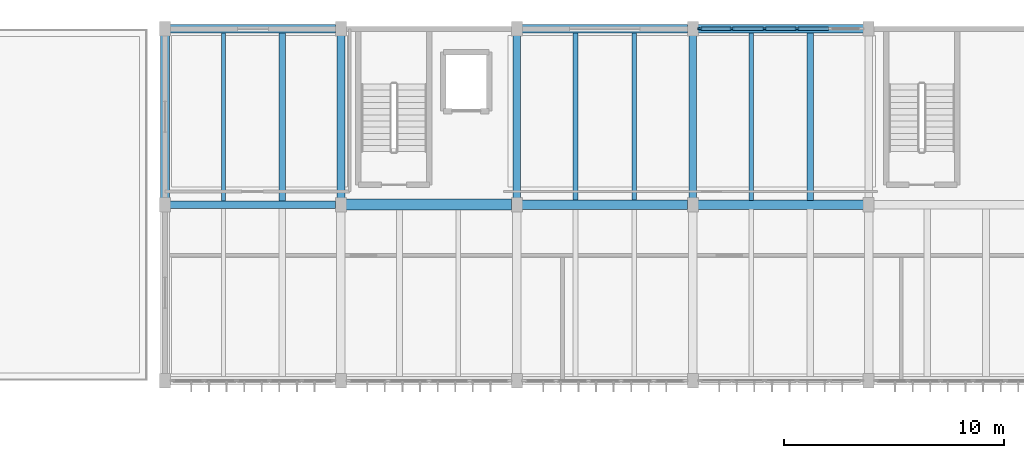
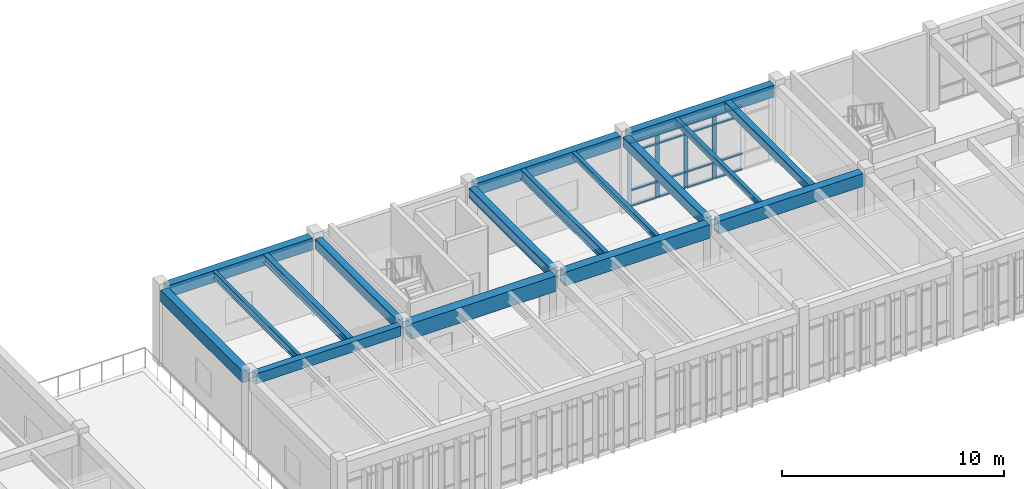
# One storey, part 26 of 72: 20 members, 17 beams, 1 element without a shape of its own.
"""IFC4 building model written with IfcOpenShell, lengths in metres."""

from ifc_helpers import new_model, si_unit, direction, frame, origin, origin_2d, place, context, subcontext, project, spatial, rectangle, i_section, extrude, material, material_profile, profile_set, type_object, element, aggregate, save


model = new_model("IFC4")

# Units and contexts
model_context = context("Model", 3, precision=1e-05, world=origin(), true_north=direction((0.0, 1.0)))
body_context = subcontext(model_context, "Body", "Model", "MODEL_VIEW")
ifc_project = project(units=[si_unit("LENGTHUNIT", "METRE"), si_unit("AREAUNIT", "SQUARE_METRE"), si_unit("VOLUMEUNIT", "CUBIC_METRE"), si_unit("PLANEANGLEUNIT", "RADIAN"), si_unit("MASSUNIT", "GRAM", prefix="KILO")], contexts=[model_context])

# Site, building, storey
site_placement = place(None, origin())
site = spatial("IfcSite", under=ifc_project, at=site_placement, CompositionType="ELEMENT")
building_placement = place(site_placement, origin())
building = spatial("IfcBuilding", under=site, at=building_placement, Name="Tlaxcora Railside Police Headquarters", CompositionType="ELEMENT")
storey_placement = place(building_placement, frame((0.0, 0.0, 13.5)))
storey = spatial("IfcBuildingStorey", under=building, at=storey_placement, Name="L03", CompositionType="ELEMENT", Elevation=13.5)

# Curtain wall, members
ifc_material_1 = material(Name="Thermally broken low-E insulated glazing", Category="glass")
curtain_wall_type = type_object("IfcCurtainWallType", Name="Unitised Curtain Wall Assembly CW-38", PredefinedType="NOTDEFINED", material=ifc_material_1)
curtain_wall_placement = place(storey_placement, origin())
curtain_wall = element("IfcCurtainWall", 1, at=curtain_wall_placement, inside=storey, type_object=curtain_wall_type, Name="V6 L03 curtain wall 169", PredefinedType="NOTDEFINED")
ifc_material_2 = material(Name="Anodised aluminium framing", Category="aluminium")
ifc_material_profile_1 = material_profile(ifc_material_2, rectangle(XDim=0.074951171875, YDim=0.205078125, at=origin_2d()), Name="AL75X205")
ifc_profile_set_1 = profile_set([ifc_material_profile_1], Name="Anodised aluminium framing")
member_type_1 = type_object("IfcMemberType", Name="Curtain Wall Mullion CW-32", PredefinedType="MULLION", material=ifc_profile_set_1)
member_1_placement = place(storey_placement, frame((131.5400390625, 92.800048828125, 0.0), z_axis=(0.0, 0.0, 1.0), x_axis=(0.0, -1.0, 0.0)))
member_1 = element("IfcMember", 2, at=member_1_placement, type_object=member_type_1, Name="CW mullion 3", PredefinedType="MULLION", context=body_context, shape_type="SweptSolid", body=[
    extrude(rectangle(XDim=0.074951171875, YDim=0.205078125, at=origin_2d()), origin(), (0.0, 0.0, 1.0), 3.52001953125),
])
member_2_placement = place(storey_placement, frame((130.06005859375, 92.800048828125, 0.0), z_axis=(0.0, 0.0, 1.0), x_axis=(0.0, -1.0, 0.0)))
member_2 = element("IfcMember", 3, at=member_2_placement, type_object=member_type_1, Name="CW mullion 4", PredefinedType="MULLION", context=body_context, shape_type="SweptSolid", body=[
    extrude(rectangle(XDim=0.074951171875, YDim=0.205078125, at=origin_2d()), origin(), (0.0, 0.0, 1.0), 3.52001953125),
])
member_3_placement = place(storey_placement, frame((128.580078125, 92.800048828125, 0.0), z_axis=(0.0, 0.0, 1.0), x_axis=(0.0, -1.0, 0.0)))
member_3 = element("IfcMember", 4, at=member_3_placement, type_object=member_type_1, Name="CW mullion 5", PredefinedType="MULLION", context=body_context, shape_type="SweptSolid", body=[
    extrude(rectangle(XDim=0.074951171875, YDim=0.205078125, at=origin_2d()), origin(), (0.0, 0.0, 1.0), 3.52001953125),
])
member_4_placement = place(storey_placement, frame((127.137451171875, 92.800048828125, 0.0), z_axis=(0.0, 0.0, 1.0), x_axis=(0.0, -1.0, 0.0)))
member_4 = element("IfcMember", 5, at=member_4_placement, type_object=member_type_1, Name="CW mullion 6", PredefinedType="MULLION", context=body_context, shape_type="SweptSolid", body=[
    extrude(rectangle(XDim=0.074951171875, YDim=0.205078125, at=origin_2d()), origin(), (0.0, 0.0, 1.0), 3.52001953125),
])
ifc_material_profile_2 = material_profile(ifc_material_2, rectangle(XDim=0.155029296875, YDim=0.074951171875, at=origin_2d()), Name="AL75X155")
ifc_profile_set_2 = profile_set([ifc_material_profile_2], Name="Anodised aluminium framing")
member_type_2 = type_object("IfcMemberType", Name="Curtain Wall Transom CW-30", PredefinedType="USERDEFINED", material=ifc_profile_set_2)
member_5_placement = place(storey_placement, frame((132.982421875, 92.800048828125, 0.03759765625), z_axis=(-1.0, 0.0, 0.0), x_axis=(0.0, -1.0, 0.0)))
member_5 = element("IfcMember", 6, at=member_5_placement, type_object=member_type_2, Name="CW transom 2.1", ObjectType="TRANSOM", PredefinedType="USERDEFINED", context=body_context, shape_type="SweptSolid", body=[
    extrude(rectangle(XDim=0.155029296875, YDim=0.074951171875, at=origin_2d()), origin(), (0.0, 0.0, 1.0), 1.405029296875),
])
member_6_placement = place(storey_placement, frame((132.982421875, 92.800048828125, 0.89990234375), z_axis=(-1.0, 0.0, 0.0), x_axis=(0.0, -1.0, 0.0)))
member_6 = element("IfcMember", 7, at=member_6_placement, type_object=member_type_2, Name="CW transom 2.2", ObjectType="TRANSOM", PredefinedType="USERDEFINED", context=body_context, shape_type="SweptSolid", body=[
    extrude(rectangle(XDim=0.155029296875, YDim=0.074951171875, at=origin_2d()), origin(), (0.0, 0.0, 1.0), 1.405029296875),
])
member_7_placement = place(storey_placement, frame((132.982421875, 92.800048828125, 2.989990234375), z_axis=(-1.0, 0.0, 0.0), x_axis=(0.0, -1.0, 0.0)))
member_7 = element("IfcMember", 8, at=member_7_placement, type_object=member_type_2, Name="CW transom 2.3", ObjectType="TRANSOM", PredefinedType="USERDEFINED", context=body_context, shape_type="SweptSolid", body=[
    extrude(rectangle(XDim=0.155029296875, YDim=0.074951171875, at=origin_2d()), origin(), (0.0, 0.0, 1.0), 1.405029296875),
])
member_8_placement = place(storey_placement, frame((132.982421875, 92.800048828125, 3.482421875), z_axis=(-1.0, 0.0, 0.0), x_axis=(0.0, -1.0, 0.0)))
member_8 = element("IfcMember", 9, at=member_8_placement, type_object=member_type_2, Name="CW transom 2.4", ObjectType="TRANSOM", PredefinedType="USERDEFINED", context=body_context, shape_type="SweptSolid", body=[
    extrude(rectangle(XDim=0.155029296875, YDim=0.074951171875, at=origin_2d()), origin(), (0.0, 0.0, 1.0), 1.405029296875),
])
member_9_placement = place(storey_placement, frame((131.50244140625, 92.800048828125, 0.03759765625), z_axis=(-1.0, 0.0, 0.0), x_axis=(0.0, -1.0, 0.0)))
member_9 = element("IfcMember", 10, at=member_9_placement, type_object=member_type_2, Name="CW transom 3.1", ObjectType="TRANSOM", PredefinedType="USERDEFINED", context=body_context, shape_type="SweptSolid", body=[
    extrude(rectangle(XDim=0.155029296875, YDim=0.074951171875, at=origin_2d()), origin(), (0.0, 0.0, 1.0), 1.405029296875),
])
member_10_placement = place(storey_placement, frame((131.50244140625, 92.800048828125, 0.89990234375), z_axis=(-1.0, 0.0, 0.0), x_axis=(0.0, -1.0, 0.0)))
member_10 = element("IfcMember", 11, at=member_10_placement, type_object=member_type_2, Name="CW transom 3.2", ObjectType="TRANSOM", PredefinedType="USERDEFINED", context=body_context, shape_type="SweptSolid", body=[
    extrude(rectangle(XDim=0.155029296875, YDim=0.074951171875, at=origin_2d()), origin(), (0.0, 0.0, 1.0), 1.405029296875),
])
member_11_placement = place(storey_placement, frame((131.50244140625, 92.800048828125, 2.989990234375), z_axis=(-1.0, 0.0, 0.0), x_axis=(0.0, -1.0, 0.0)))
member_11 = element("IfcMember", 12, at=member_11_placement, type_object=member_type_2, Name="CW transom 3.3", ObjectType="TRANSOM", PredefinedType="USERDEFINED", context=body_context, shape_type="SweptSolid", body=[
    extrude(rectangle(XDim=0.155029296875, YDim=0.074951171875, at=origin_2d()), origin(), (0.0, 0.0, 1.0), 1.405029296875),
])
member_12_placement = place(storey_placement, frame((131.50244140625, 92.800048828125, 3.482421875), z_axis=(-1.0, 0.0, 0.0), x_axis=(0.0, -1.0, 0.0)))
member_12 = element("IfcMember", 13, at=member_12_placement, type_object=member_type_2, Name="CW transom 3.4", ObjectType="TRANSOM", PredefinedType="USERDEFINED", context=body_context, shape_type="SweptSolid", body=[
    extrude(rectangle(XDim=0.155029296875, YDim=0.074951171875, at=origin_2d()), origin(), (0.0, 0.0, 1.0), 1.405029296875),
])
member_13_placement = place(storey_placement, frame((130.0224609375, 92.800048828125, 0.03759765625), z_axis=(-1.0, 0.0, 0.0), x_axis=(0.0, -1.0, 0.0)))
member_13 = element("IfcMember", 14, at=member_13_placement, type_object=member_type_2, Name="CW transom 4.1", ObjectType="TRANSOM", PredefinedType="USERDEFINED", context=body_context, shape_type="SweptSolid", body=[
    extrude(rectangle(XDim=0.155029296875, YDim=0.074951171875, at=origin_2d()), origin(), (0.0, 0.0, 1.0), 1.405029296875),
])
member_14_placement = place(storey_placement, frame((130.0224609375, 92.800048828125, 0.89990234375), z_axis=(-1.0, 0.0, 0.0), x_axis=(0.0, -1.0, 0.0)))
member_14 = element("IfcMember", 15, at=member_14_placement, type_object=member_type_2, Name="CW transom 4.2", ObjectType="TRANSOM", PredefinedType="USERDEFINED", context=body_context, shape_type="SweptSolid", body=[
    extrude(rectangle(XDim=0.155029296875, YDim=0.074951171875, at=origin_2d()), origin(), (0.0, 0.0, 1.0), 1.405029296875),
])
member_15_placement = place(storey_placement, frame((130.0224609375, 92.800048828125, 2.989990234375), z_axis=(-1.0, 0.0, 0.0), x_axis=(0.0, -1.0, 0.0)))
member_15 = element("IfcMember", 16, at=member_15_placement, type_object=member_type_2, Name="CW transom 4.3", ObjectType="TRANSOM", PredefinedType="USERDEFINED", context=body_context, shape_type="SweptSolid", body=[
    extrude(rectangle(XDim=0.155029296875, YDim=0.074951171875, at=origin_2d()), origin(), (0.0, 0.0, 1.0), 1.405029296875),
])
member_16_placement = place(storey_placement, frame((130.0224609375, 92.800048828125, 3.482421875), z_axis=(-1.0, 0.0, 0.0), x_axis=(0.0, -1.0, 0.0)))
member_16 = element("IfcMember", 17, at=member_16_placement, type_object=member_type_2, Name="CW transom 4.4", ObjectType="TRANSOM", PredefinedType="USERDEFINED", context=body_context, shape_type="SweptSolid", body=[
    extrude(rectangle(XDim=0.155029296875, YDim=0.074951171875, at=origin_2d()), origin(), (0.0, 0.0, 1.0), 1.405029296875),
])
member_17_placement = place(storey_placement, frame((128.54248046875, 92.800048828125, 0.03759765625), z_axis=(-1.0, 0.0, 0.0), x_axis=(0.0, -1.0, 0.0)))
member_17 = element("IfcMember", 18, at=member_17_placement, type_object=member_type_2, Name="CW transom 5.1", ObjectType="TRANSOM", PredefinedType="USERDEFINED", context=body_context, shape_type="SweptSolid", body=[
    extrude(rectangle(XDim=0.155029296875, YDim=0.074951171875, at=origin_2d()), origin(), (0.0, 0.0, 1.0), 1.367431640625),
])
member_18_placement = place(storey_placement, frame((128.54248046875, 92.800048828125, 0.89990234375), z_axis=(-1.0, 0.0, 0.0), x_axis=(0.0, -1.0, 0.0)))
member_18 = element("IfcMember", 19, at=member_18_placement, type_object=member_type_2, Name="CW transom 5.2", ObjectType="TRANSOM", PredefinedType="USERDEFINED", context=body_context, shape_type="SweptSolid", body=[
    extrude(rectangle(XDim=0.155029296875, YDim=0.074951171875, at=origin_2d()), origin(), (0.0, 0.0, 1.0), 1.367431640625),
])
member_19_placement = place(storey_placement, frame((128.54248046875, 92.800048828125, 2.989990234375), z_axis=(-1.0, 0.0, 0.0), x_axis=(0.0, -1.0, 0.0)))
member_19 = element("IfcMember", 20, at=member_19_placement, type_object=member_type_2, Name="CW transom 5.3", ObjectType="TRANSOM", PredefinedType="USERDEFINED", context=body_context, shape_type="SweptSolid", body=[
    extrude(rectangle(XDim=0.155029296875, YDim=0.074951171875, at=origin_2d()), origin(), (0.0, 0.0, 1.0), 1.367431640625),
])
member_20_placement = place(storey_placement, frame((128.54248046875, 92.800048828125, 3.482421875), z_axis=(-1.0, 0.0, 0.0), x_axis=(0.0, -1.0, 0.0)))
member_20 = element("IfcMember", 21, at=member_20_placement, type_object=member_type_2, Name="CW transom 5.4", ObjectType="TRANSOM", PredefinedType="USERDEFINED", context=body_context, shape_type="SweptSolid", body=[
    extrude(rectangle(XDim=0.155029296875, YDim=0.074951171875, at=origin_2d()), origin(), (0.0, 0.0, 1.0), 1.367431640625),
])
aggregate(curtain_wall, [member_1, member_2, member_3, member_4, member_5, member_6, member_7, member_8, member_9, member_10, member_11, member_12, member_13, member_14, member_15, member_16, member_17, member_18, member_19, member_20])

# Beams
ifc_material_3 = material(Name="Concrete C40/50", Category="concrete")
ifc_material_profile_3 = material_profile(ifc_material_3, rectangle(XDim=0.39990234375, YDim=0.64990234375, at=origin_2d()), Name="RC400X650")
ifc_profile_set_3 = profile_set([ifc_material_profile_3], Name="Concrete C40/50")
beam_type_1 = type_object("IfcBeamType", Name="Perimeter Spandrel Beam BM-46", PredefinedType="SPANDREL", material=ifc_profile_set_3)
for number, where, z_axis, x_axis, name in (
    (22, (103.0400390625, 92.800048828125, 3.864990234375), (1.0, 0.0, 0.0), (0.0, 1.0, 0.0), "V6 L03 X-girder Y=92.8"),
    (23, (119.0400390625, 92.800048828125, 3.864990234375), (1.0, 0.0, 0.0), (0.0, 1.0, 0.0), "V6 L03 X-girder Y=92.8"),
    (24, (127.0400390625, 92.800048828125, 3.864990234375), (1.0, 0.0, 0.0), (0.0, 1.0, 0.0), "V6 L03 X-girder Y=92.8"),
):
    element("IfcBeam", number, at=place(storey_placement, frame(where, z_axis=z_axis, x_axis=x_axis)), inside=storey, type_object=beam_type_1, Name=name, PredefinedType="SPANDREL", context=body_context, shape_type="SweptSolid", body=[
        extrude(rectangle(XDim=0.39990234375, YDim=0.64990234375, at=origin_2d()), origin(), (0.0, 0.0, 1.0), 7.52001953125),
    ])
beam_1_placement = place(storey_placement, frame((102.800048828125, 85.114990234375, 3.864990234375), z_axis=(0.0, 1.0, 0.0), x_axis=(-1.0, 0.0, 0.0)))
element("IfcBeam", 25, at=beam_1_placement, inside=storey, type_object=beam_type_1, Name="V6 L03 Y-girder X=102.8", PredefinedType="SPANDREL", context=body_context, shape_type="SweptSolid", body=[
    extrude(rectangle(XDim=0.39990234375, YDim=0.64990234375, at=origin_2d()), origin(), (0.0, 0.0, 1.0), 7.3701171875),
])
ifc_material_profile_4 = material_profile(ifc_material_3, rectangle(XDim=0.419921875, YDim=0.699951171875, at=origin_2d()), Name="RC420X700")
ifc_profile_set_4 = profile_set([ifc_material_profile_4], Name="Concrete C40/50")
beam_type_2 = type_object("IfcBeamType", Name="Primary Frame Girder BM-35", PredefinedType="BEAM", material=ifc_profile_set_4)
beam_2_placement = place(storey_placement, frame((127.0400390625, 84.800048828125, 3.840087890625), z_axis=(1.0, 0.0, 0.0), x_axis=(0.0, 1.0, 0.0)))
element("IfcBeam", 26, at=beam_2_placement, inside=storey, type_object=beam_type_2, Name="V6 L03 X-girder Y=84.8", PredefinedType="BEAM", context=body_context, shape_type="SweptSolid", body=[
    extrude(rectangle(XDim=0.419921875, YDim=0.699951171875, at=origin_2d()), origin(), (0.0, 0.0, 1.0), 7.52001953125),
])
ifc_material_profile_5 = material_profile(ifc_material_3, rectangle(XDim=0.35009765625, YDim=0.550048828125, at=origin_2d()), Name="RC350X550")
ifc_profile_set_5 = profile_set([ifc_material_profile_5], Name="Concrete C40/50")
beam_type_3 = type_object("IfcBeamType", Name="Primary Frame Girder BM-39", PredefinedType="BEAM", material=ifc_profile_set_5)
beam_3_placement = place(storey_placement, frame((103.0400390625, 84.800048828125, 3.9150390625), z_axis=(1.0, 0.0, 0.0), x_axis=(0.0, 1.0, 0.0)))
element("IfcBeam", 27, at=beam_3_placement, inside=storey, type_object=beam_type_3, Name="V6 L03 X-girder Y=84.8", PredefinedType="BEAM", context=body_context, shape_type="SweptSolid", body=[
    extrude(rectangle(XDim=0.35009765625, YDim=0.550048828125, at=origin_2d()), origin(), (0.0, 0.0, 1.0), 7.52001953125),
])
for number, where, z_axis, x_axis, name in (
    (28, (110.800048828125, 85.114990234375, 3.9150390625), (0.0, 1.0, 0.0), (-1.0, 0.0, 0.0), "V6 L03 Y-girder X=110.8"),
    (29, (118.800048828125, 85.114990234375, 3.9150390625), (0.0, 1.0, 0.0), (-1.0, 0.0, 0.0), "V6 L03 Y-girder X=118.8"),
    (30, (126.800048828125, 85.114990234375, 3.9150390625), (0.0, 1.0, 0.0), (-1.0, 0.0, 0.0), "V6 L03 Y-girder X=126.8"),
):
    element("IfcBeam", number, at=place(storey_placement, frame(where, z_axis=z_axis, x_axis=x_axis)), inside=storey, type_object=beam_type_3, Name=name, PredefinedType="BEAM", context=body_context, shape_type="SweptSolid", body=[
        extrude(rectangle(XDim=0.35009765625, YDim=0.550048828125, at=origin_2d()), origin(), (0.0, 0.0, 1.0), 7.3701171875),
    ])
ifc_material_profile_6 = material_profile(ifc_material_3, rectangle(XDim=0.5, YDim=0.85009765625, at=origin_2d()), Name="RC500X850")
ifc_profile_set_6 = profile_set([ifc_material_profile_6], Name="Concrete C40/50")
beam_type_4 = type_object("IfcBeamType", Name="Primary Frame Girder BM-64", PredefinedType="BEAM", material=ifc_profile_set_6)
beam_4_placement = place(storey_placement, frame((111.0400390625, 84.800048828125, 3.764892578125), z_axis=(1.0, 0.0, 0.0), x_axis=(0.0, 1.0, 0.0)))
element("IfcBeam", 31, at=beam_4_placement, inside=storey, type_object=beam_type_4, Name="V6 L03 X-girder Y=84.8", PredefinedType="BEAM", context=body_context, shape_type="SweptSolid", body=[
    extrude(rectangle(XDim=0.5, YDim=0.85009765625, at=origin_2d()), origin(), (0.0, 0.0, 1.0), 7.52001953125),
])
ifc_material_profile_7 = material_profile(ifc_material_3, rectangle(XDim=0.449951171875, YDim=0.75, at=origin_2d()), Name="RC450X750")
ifc_profile_set_7 = profile_set([ifc_material_profile_7], Name="Concrete C40/50")
beam_type_5 = type_object("IfcBeamType", Name="Primary Frame Girder BM-73", PredefinedType="BEAM", material=ifc_profile_set_7)
beam_5_placement = place(storey_placement, frame((119.0400390625, 84.800048828125, 3.81494140625), z_axis=(1.0, 0.0, 0.0), x_axis=(0.0, 1.0, 0.0)))
element("IfcBeam", 32, at=beam_5_placement, inside=storey, type_object=beam_type_5, Name="V6 L03 X-girder Y=84.8", PredefinedType="BEAM", context=body_context, shape_type="SweptSolid", body=[
    extrude(rectangle(XDim=0.449951171875, YDim=0.75, at=origin_2d()), origin(), (0.0, 0.0, 1.0), 7.52001953125),
])
ifc_material_4 = material(Name="Concrete C35/45", Category="concrete")
ifc_material_profile_8 = material_profile(ifc_material_4, rectangle(XDim=0.300048828125, YDim=0.449951171875, at=origin_2d()), Name="RC300X450")
ifc_profile_set_8 = profile_set([ifc_material_profile_8], Name="Concrete C35/45")
beam_type_6 = type_object("IfcBeamType", Name="Secondary Floor Joist BM-27", PredefinedType="JOIST", material=ifc_profile_set_8)
beam_6_placement = place(storey_placement, frame((132.13330078125, 85.001953125, 3.965087890625), z_axis=(0.0, 1.0, 0.0), x_axis=(-1.0, 0.0, 0.0)))
element("IfcBeam", 33, at=beam_6_placement, inside=storey, type_object=beam_type_6, Name="V6 L03 floor joist X=132.13", PredefinedType="JOIST", context=body_context, shape_type="SweptSolid", body=[
    extrude(rectangle(XDim=0.300048828125, YDim=0.449951171875, at=origin_2d()), origin(), (0.0, 0.0, 1.0), 7.60595703125),
])
ifc_material_5 = material(Name="Steel ASTM A992 Grade 50", Category="steel")
ifc_material_profile_9 = material_profile(ifc_material_5, i_section(OverallWidth=0.280029296875, OverallDepth=0.4619140625, WebThickness=0.0107421875, FlangeThickness=0.017333984375, at=origin_2d()), Name="W18X76")
ifc_profile_set_9 = profile_set([ifc_material_profile_9], Name="Steel ASTM A992 Grade 50")
beam_type_7 = type_object("IfcBeamType", Name="Secondary Floor Joist BM-44", PredefinedType="JOIST", material=ifc_profile_set_9)
beam_7_placement = place(storey_placement, frame((108.13330078125, 84.967041015625, 3.958984375), z_axis=(0.0, 1.0, 0.0), x_axis=(-1.0, 0.0, 0.0)))
element("IfcBeam", 34, at=beam_7_placement, inside=storey, type_object=beam_type_7, Name="V6 L03 floor joist X=108.13", PredefinedType="JOIST", context=body_context, shape_type="SweptSolid", body=[
    extrude(i_section(OverallWidth=0.280029296875, OverallDepth=0.4619140625, WebThickness=0.0107421875, FlangeThickness=0.017333984375, at=origin_2d()), origin(), (0.0, 0.0, 1.0), 7.640869140625),
])
ifc_material_profile_10 = material_profile(ifc_material_5, i_section(OverallWidth=0.180908203125, OverallDepth=0.4169921875, WebThickness=0.010009765625, FlangeThickness=0.018310546875, at=origin_2d()), Name="W16X57")
ifc_profile_set_10 = profile_set([ifc_material_profile_10], Name="Steel ASTM A992 Grade 50")
beam_type_8 = type_object("IfcBeamType", Name="Secondary Floor Joist BM-84", PredefinedType="JOIST", material=ifc_profile_set_10)
beam_8_placement = place(storey_placement, frame((105.466796875, 84.967041015625, 3.9814453125), z_axis=(0.0, 1.0, 0.0), x_axis=(-1.0, 0.0, 0.0)))
element("IfcBeam", 35, at=beam_8_placement, inside=storey, type_object=beam_type_8, Name="V6 L03 floor joist X=105.47", PredefinedType="JOIST", context=body_context, shape_type="SweptSolid", body=[
    extrude(i_section(OverallWidth=0.180908203125, OverallDepth=0.4169921875, WebThickness=0.010009765625, FlangeThickness=0.018310546875, at=origin_2d()), origin(), (0.0, 0.0, 1.0), 7.640869140625),
])
ifc_material_profile_11 = material_profile(ifc_material_5, i_section(OverallWidth=0.202880859375, OverallDepth=0.302978515625, WebThickness=0.007568359375, FlangeThickness=0.01318359375, at=origin_2d()), Name="W12X40")
ifc_profile_set_11 = profile_set([ifc_material_profile_11], Name="Steel ASTM A992 Grade 50")
beam_type_9 = type_object("IfcBeamType", Name="Secondary Floor Joist BM-96", PredefinedType="JOIST", material=ifc_profile_set_11)
beam_9_placement = place(storey_placement, frame((124.13330078125, 85.01708984375, 4.03857421875), z_axis=(0.0, 1.0, 0.0), x_axis=(-1.0, 0.0, 0.0)))
element("IfcBeam", 36, at=beam_9_placement, inside=storey, type_object=beam_type_9, Name="V6 L03 floor joist X=124.13", PredefinedType="JOIST", context=body_context, shape_type="SweptSolid", body=[
    extrude(i_section(OverallWidth=0.202880859375, OverallDepth=0.302978515625, WebThickness=0.007568359375, FlangeThickness=0.01318359375, at=origin_2d()), origin(), (0.0, 0.0, 1.0), 7.5908203125),
])
beam_10_placement = place(storey_placement, frame((129.466796875, 85.001953125, 4.03857421875), z_axis=(0.0, 1.0, 0.0), x_axis=(-1.0, 0.0, 0.0)))
element("IfcBeam", 37, at=beam_10_placement, inside=storey, type_object=beam_type_9, Name="V6 L03 floor joist X=129.47", PredefinedType="JOIST", context=body_context, shape_type="SweptSolid", body=[
    extrude(i_section(OverallWidth=0.202880859375, OverallDepth=0.302978515625, WebThickness=0.007568359375, FlangeThickness=0.01318359375, at=origin_2d()), origin(), (0.0, 0.0, 1.0), 7.60595703125),
])
ifc_material_profile_12 = material_profile(ifc_material_5, i_section(OverallWidth=0.214111328125, OverallDepth=0.549072265625, WebThickness=0.0146484375, FlangeThickness=0.023681640625, at=origin_2d()), Name="W21X93")
ifc_profile_set_12 = profile_set([ifc_material_profile_12], Name="Steel ASTM A992 Grade 50")
beam_type_10 = type_object("IfcBeamType", Name="Secondary Floor Joist BM-97", PredefinedType="JOIST", material=ifc_profile_set_12)
beam_11_placement = place(storey_placement, frame((121.466796875, 85.01708984375, 3.91552734375), z_axis=(0.0, 1.0, 0.0), x_axis=(-1.0, 0.0, 0.0)))
element("IfcBeam", 38, at=beam_11_placement, inside=storey, type_object=beam_type_10, Name="V6 L03 floor joist X=121.47", PredefinedType="JOIST", context=body_context, shape_type="SweptSolid", body=[
    extrude(i_section(OverallWidth=0.214111328125, OverallDepth=0.549072265625, WebThickness=0.0146484375, FlangeThickness=0.023681640625, at=origin_2d()), origin(), (0.0, 0.0, 1.0), 7.5908203125),
])

save(model, "model.ifc")
